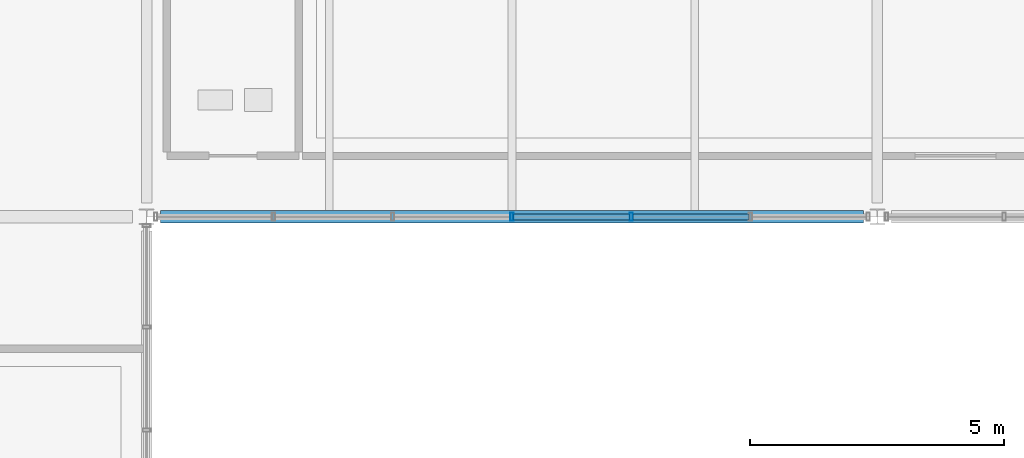
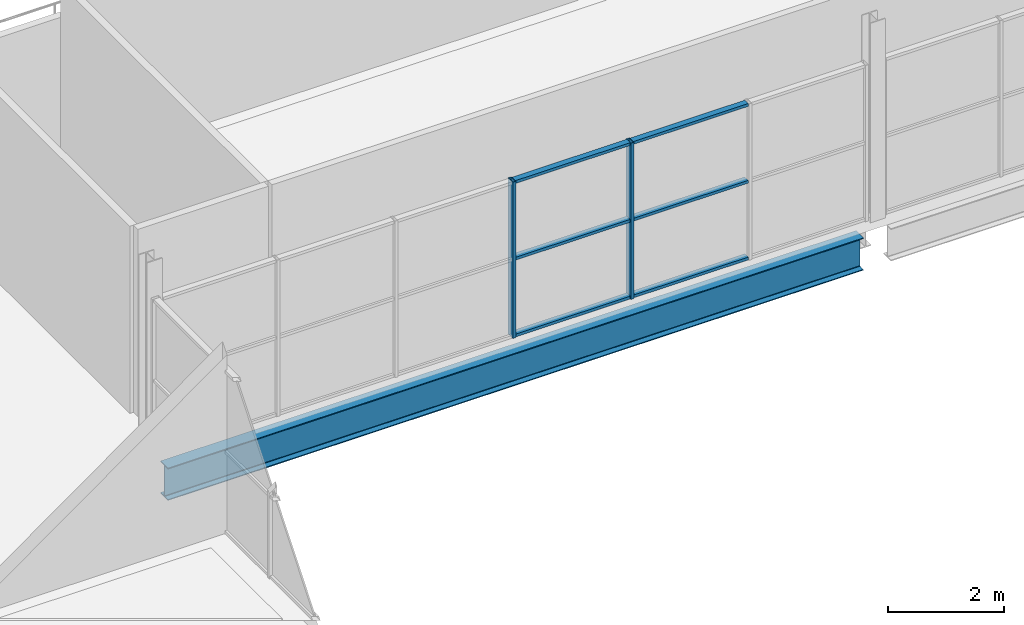
# One storey, part 33 of 161: 8 members, 1 beam, 1 element without a shape of its own.
"""IFC4 building model written with IfcOpenShell, lengths in metres."""

from ifc_helpers import new_model, si_unit, direction, frame, origin, origin_2d, place, context, subcontext, project, spatial, hollow_rectangle, i_section, extrude, material, material_profile, profile_set, type_object, element, aggregate, save


model = new_model("IFC4")

# Units and contexts
model_context = context("Model", 3, precision=1e-05, world=origin(), true_north=direction((0.0, 1.0)))
body_context = subcontext(model_context, "Body", "Model", "MODEL_VIEW")
ifc_project = project(units=[si_unit("LENGTHUNIT", "METRE"), si_unit("AREAUNIT", "SQUARE_METRE"), si_unit("VOLUMEUNIT", "CUBIC_METRE"), si_unit("PLANEANGLEUNIT", "RADIAN"), si_unit("MASSUNIT", "GRAM", prefix="KILO"), si_unit("THERMODYNAMICTEMPERATUREUNIT", "KELVIN")], contexts=[model_context])

# Site, building, storey
site_placement = place(None, origin())
site = spatial("IfcSite", under=ifc_project, at=site_placement, CompositionType="ELEMENT")
building_placement = place(site_placement, origin())
building = spatial("IfcBuilding", under=site, at=building_placement, Name="Nduvali Passage Aquatics Centre", CompositionType="ELEMENT")
storey_placement = place(building_placement, frame((0.0, 0.0, 4.800048828125)))
storey = spatial("IfcBuildingStorey", under=building, at=storey_placement, Name="L01", CompositionType="ELEMENT", Elevation=4.800048828125)

# Curtain wall, members
ifc_material_1 = material(Name="Aluminium EN AW-6063 T6", Category="aluminium")
curtain_wall_type = type_object("IfcCurtainWallType", Name="ENV-CW-COUR", PredefinedType="NOTDEFINED", material=ifc_material_1)
curtain_wall_placement = place(storey_placement, origin())
curtain_wall = element("IfcCurtainWall", 1, at=curtain_wall_placement, inside=storey, type_object=curtain_wall_type, Name="L01 Monsoon Courtyard Upper Cloister CW 164", PredefinedType="NOTDEFINED")
ifc_material_profile_1 = material_profile(ifc_material_1, hollow_rectangle(XDim=0.06005859375, YDim=0.159912109375, WallThickness=0.00390625, at=origin_2d()), Name="ALU MULLION 60x160x4")
ifc_profile_set_1 = profile_set([ifc_material_profile_1], Name="Aluminium EN AW-6063 T6")
member_type_1 = type_object("IfcMemberType", Name="ENV-MEM-MUL60", PredefinedType="MULLION", material=ifc_profile_set_1)
member_1_placement = place(storey_placement, frame((75.60009765625, 16.800048828125, 0.0), z_axis=(0.0, 0.0, 1.0), x_axis=(1.0, 0.0, 0.0)))
member_1 = element("IfcMember", 2, at=member_1_placement, type_object=member_type_1, Name="Monsoon Courtyard Upper Cloister CW Mullion 4", PredefinedType="MULLION", context=body_context, shape_type="SweptSolid", body=[
    extrude(hollow_rectangle(XDim=0.06005859375, YDim=0.159912109375, WallThickness=0.00390625, at=origin_2d()), origin(), (0.0, 0.0, 1.0), 3.29248046875),
])
member_2_placement = place(storey_placement, frame((77.949951171875, 16.800048828125, 0.0), z_axis=(0.0, 0.0, 1.0), x_axis=(1.0, 0.0, 0.0)))
member_2 = element("IfcMember", 3, at=member_2_placement, type_object=member_type_1, Name="Monsoon Courtyard Upper Cloister CW Mullion 5", PredefinedType="MULLION", context=body_context, shape_type="SweptSolid", body=[
    extrude(hollow_rectangle(XDim=0.06005859375, YDim=0.159912109375, WallThickness=0.00390625, at=origin_2d()), origin(), (0.0, 0.0, 1.0), 3.29248046875),
])
ifc_material_profile_2 = material_profile(ifc_material_1, hollow_rectangle(XDim=0.1201171875, YDim=0.06005859375, WallThickness=0.00390625, at=origin_2d()), Name="ALU TRANSOM 120x60x4")
ifc_profile_set_2 = profile_set([ifc_material_profile_2], Name="Aluminium EN AW-6063 T6")
member_type_2 = type_object("IfcMemberType", Name="ENV-MEM-TRN60", PredefinedType="USERDEFINED", material=ifc_profile_set_2)
member_3_placement = place(storey_placement, frame((75.6298828125, 16.800048828125, 0.030029296875), z_axis=(1.0, 0.0, 0.0), x_axis=(0.0, 1.0, 0.0)))
member_3 = element("IfcMember", 4, at=member_3_placement, type_object=member_type_2, Name="Monsoon Courtyard Upper Cloister CW Transom B4-R0", ObjectType="TRANSOM", PredefinedType="USERDEFINED", context=body_context, shape_type="SweptSolid", body=[
    extrude(hollow_rectangle(XDim=0.1201171875, YDim=0.06005859375, WallThickness=0.00390625, at=origin_2d()), origin(), (0.0, 0.0, 1.0), 2.2900390625),
])
member_4_placement = place(storey_placement, frame((75.6298828125, 16.800048828125, 1.646240234375), z_axis=(1.0, 0.0, 0.0), x_axis=(0.0, 1.0, 0.0)))
member_4 = element("IfcMember", 5, at=member_4_placement, type_object=member_type_2, Name="Monsoon Courtyard Upper Cloister CW Transom B4-R1", ObjectType="TRANSOM", PredefinedType="USERDEFINED", context=body_context, shape_type="SweptSolid", body=[
    extrude(hollow_rectangle(XDim=0.1201171875, YDim=0.06005859375, WallThickness=0.00390625, at=origin_2d()), origin(), (0.0, 0.0, 1.0), 2.2900390625),
])
member_5_placement = place(storey_placement, frame((75.6298828125, 16.800048828125, 3.262451171875), z_axis=(1.0, 0.0, 0.0), x_axis=(0.0, 1.0, 0.0)))
member_5 = element("IfcMember", 6, at=member_5_placement, type_object=member_type_2, Name="Monsoon Courtyard Upper Cloister CW Transom B4-R2", ObjectType="TRANSOM", PredefinedType="USERDEFINED", context=body_context, shape_type="SweptSolid", body=[
    extrude(hollow_rectangle(XDim=0.1201171875, YDim=0.06005859375, WallThickness=0.00390625, at=origin_2d()), origin(), (0.0, 0.0, 1.0), 2.2900390625),
])
member_6_placement = place(storey_placement, frame((77.97998046875, 16.800048828125, 0.030029296875), z_axis=(1.0, 0.0, 0.0), x_axis=(0.0, 1.0, 0.0)))
member_6 = element("IfcMember", 7, at=member_6_placement, type_object=member_type_2, Name="Monsoon Courtyard Upper Cloister CW Transom B5-R0", ObjectType="TRANSOM", PredefinedType="USERDEFINED", context=body_context, shape_type="SweptSolid", body=[
    extrude(hollow_rectangle(XDim=0.1201171875, YDim=0.06005859375, WallThickness=0.00390625, at=origin_2d()), origin(), (0.0, 0.0, 1.0), 2.2900390625),
])
member_7_placement = place(storey_placement, frame((77.97998046875, 16.800048828125, 1.646240234375), z_axis=(1.0, 0.0, 0.0), x_axis=(0.0, 1.0, 0.0)))
member_7 = element("IfcMember", 8, at=member_7_placement, type_object=member_type_2, Name="Monsoon Courtyard Upper Cloister CW Transom B5-R1", ObjectType="TRANSOM", PredefinedType="USERDEFINED", context=body_context, shape_type="SweptSolid", body=[
    extrude(hollow_rectangle(XDim=0.1201171875, YDim=0.06005859375, WallThickness=0.00390625, at=origin_2d()), origin(), (0.0, 0.0, 1.0), 2.2900390625),
])
member_8_placement = place(storey_placement, frame((77.97998046875, 16.800048828125, 3.262451171875), z_axis=(1.0, 0.0, 0.0), x_axis=(0.0, 1.0, 0.0)))
member_8 = element("IfcMember", 9, at=member_8_placement, type_object=member_type_2, Name="Monsoon Courtyard Upper Cloister CW Transom B5-R2", ObjectType="TRANSOM", PredefinedType="USERDEFINED", context=body_context, shape_type="SweptSolid", body=[
    extrude(hollow_rectangle(XDim=0.1201171875, YDim=0.06005859375, WallThickness=0.00390625, at=origin_2d()), origin(), (0.0, 0.0, 1.0), 2.2900390625),
])
aggregate(curtain_wall, [member_1, member_2, member_3, member_4, member_5, member_6, member_7, member_8])

# Beam
ifc_material_2 = material(Name="Steel S355", Category="steel")
ifc_material_profile_3 = material_profile(ifc_material_2, i_section(OverallWidth=0.253662109375, OverallDepth=0.68359375, WebThickness=0.012451171875, FlangeThickness=0.01904296875, FilletRadius=0.01513671875, at=origin_2d()), Name="UKB 686x254x140")
ifc_profile_set_3 = profile_set([ifc_material_profile_3], Name="Steel S355")
beam_type = type_object("IfcBeamType", Name="STR-BM-UKB686", PredefinedType="BEAM", material=ifc_profile_set_3)
beam_placement = place(storey_placement, frame((68.675048828125, 16.800048828125, -0.625732421875), z_axis=(1.0, 0.0, 0.0), x_axis=(0.0, 1.0, 0.0)))
element("IfcBeam", 10, at=beam_placement, inside=storey, type_object=beam_type, Name="L01 Primary X-Girder B4-0438", PredefinedType="BEAM", context=body_context, shape_type="SweptSolid", body=[
    extrude(i_section(OverallWidth=0.253662109375, OverallDepth=0.68359375, WebThickness=0.012451171875, FlangeThickness=0.01904296875, FilletRadius=0.01513671875, at=origin_2d()), origin(), (0.0, 0.0, 1.0), 13.849853515625),
])

save(model, "model.ifc")
